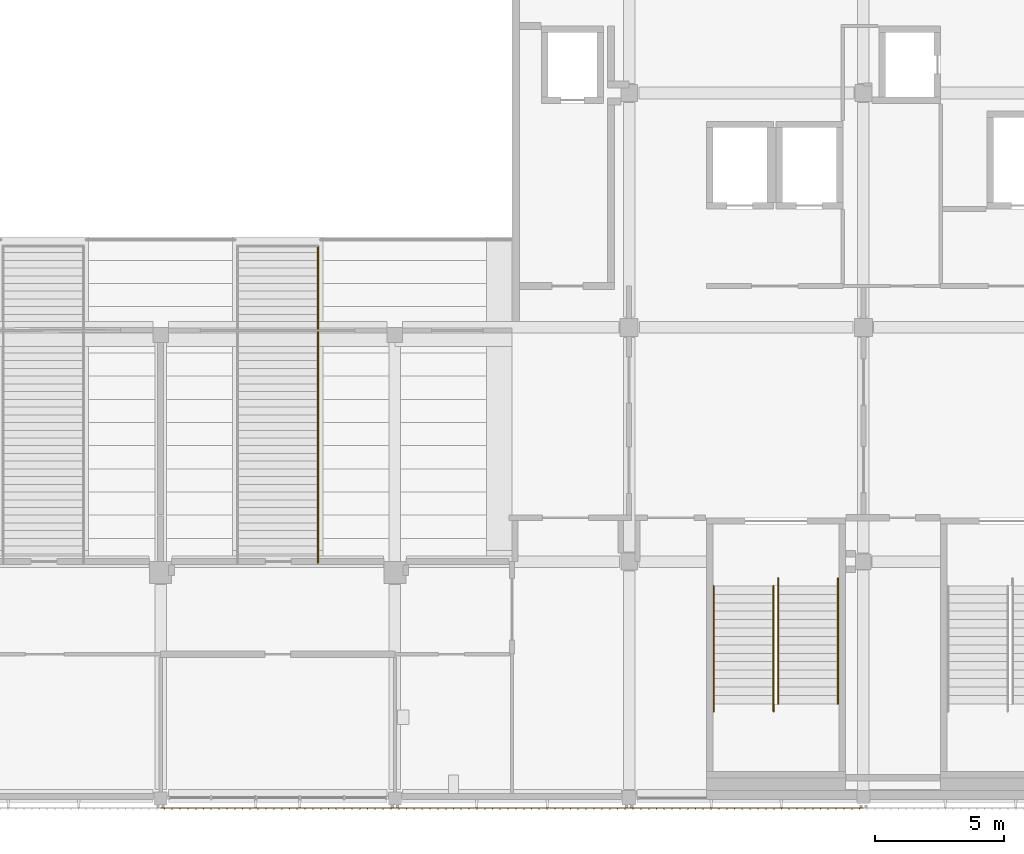
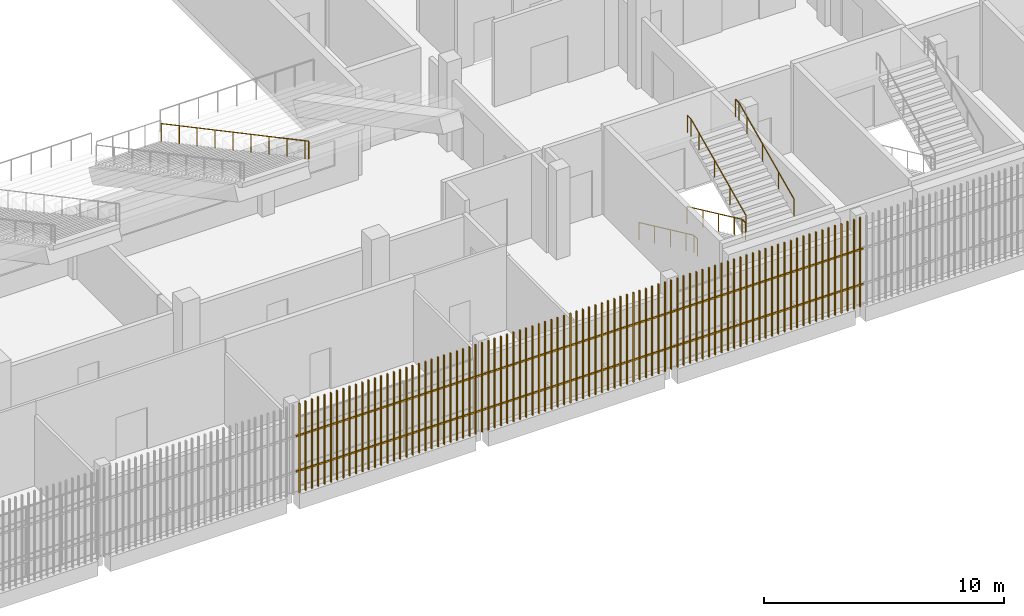
# One storey, part 120 of 139: 5 railings, 3 shading devices.
"""IFC4 building model written with IfcOpenShell, lengths in metres."""

from ifc_helpers import new_model, si_unit, direction, frame, origin, origin_2d, place, context, subcontext, project, spatial, rectangle, circle, extrude, material, type_object, element, save


model = new_model("IFC4")

# Units and contexts
model_context = context("Model", 3, precision=1e-05, world=origin(), true_north=direction((0.0, 1.0)))
body_context = subcontext(model_context, "Body", "Model", "MODEL_VIEW")
ifc_project = project(units=[si_unit("LENGTHUNIT", "METRE"), si_unit("AREAUNIT", "SQUARE_METRE"), si_unit("VOLUMEUNIT", "CUBIC_METRE"), si_unit("PLANEANGLEUNIT", "RADIAN"), si_unit("MASSUNIT", "GRAM", prefix="KILO")], contexts=[model_context])

# Site, building, storey
site_placement = place(None, origin())
site = spatial("IfcSite", under=ifc_project, at=site_placement, CompositionType="ELEMENT")
building_placement = place(site_placement, origin())
building = spatial("IfcBuilding", under=site, at=building_placement, Name="Shirokan Park Arena", CompositionType="ELEMENT")
storey_placement = place(building_placement, frame((0.0, 0.0, 15.469970703125)))
storey = spatial("IfcBuildingStorey", under=building, at=storey_placement, Name="L03", CompositionType="ELEMENT", Elevation=15.469970703125)

# Railings
ifc_material_1 = material(Name="Stainless steel", Category="steel")
railing_type_1 = type_object("IfcRailingType", Name="Aisle handrail 900", PredefinedType="HANDRAIL", material=ifc_material_1)
railing_1_placement = place(storey_placement, frame((97.110107421875, 21.35009765625, 2.5400390625)))
element("IfcRailing", 1, at=railing_1_placement, inside=storey, type_object=railing_type_1, Name="Handrail vomitory stair S6 upper", PredefinedType="HANDRAIL", context=body_context, shape_type="SweptSolid", body=[
    extrude(circle(Radius=0.02490234375, at=origin_2d()), frame((0.0, 0.0, 0.90185546875), z_axis=(0.0, -0.882341014787, 0.470610596591), x_axis=(1.0, 0.0, 0.0)), (0.0, 0.0, 1.0), 1.699951171875),
    extrude(circle(Radius=0.02490234375, at=origin_2d()), frame((0.0, -1.5, 1.70166015625), z_axis=(0.0, -0.882341014787, 0.470610596591), x_axis=(1.0, 0.0, 0.0)), (0.0, 0.0, 1.0), 1.699951171875),
    extrude(circle(Radius=0.02490234375, at=origin_2d()), frame((0.0, -3.0, 2.501953125), z_axis=(0.0, -0.88240064429, 0.470498781037), x_axis=(1.0, 0.0, 0.0)), (0.0, 0.0, 1.0), 1.699951171875),
    extrude(circle(Radius=0.02490234375, at=origin_2d()), frame((0.0, -4.5, 3.3017578125), z_axis=(0.0, -0.882341014787, 0.470610596591), x_axis=(1.0, 0.0, 0.0)), (0.0, 0.0, 1.0), 1.699951171875),
    extrude(circle(Radius=0.02490234375, at=origin_2d()), frame((0.0, -6.0, 4.1015625), z_axis=(0.0, -0.882341014787, 0.470610596591), x_axis=(1.0, 0.0, 0.0)), (0.0, 0.0, 1.0), 1.699951171875),
    extrude(circle(Radius=0.02490234375, at=origin_2d()), frame((0.0, -7.5, 4.90185546875), z_axis=(0.0, -0.882341014787, 0.470610596591), x_axis=(1.0, 0.0, 0.0)), (0.0, 0.0, 1.0), 1.699951171875),
    extrude(circle(Radius=0.02490234375, at=origin_2d()), frame((0.0, -9.0, 5.70166015625), z_axis=(0.0, -0.882341014787, 0.470610596591), x_axis=(1.0, 0.0, 0.0)), (0.0, 0.0, 1.0), 1.699951171875),
    extrude(circle(Radius=0.02490234375, at=origin_2d()), frame((0.0, -10.5, 6.501953125), z_axis=(0.0, -0.88240064429, 0.470498781037), x_axis=(1.0, 0.0, 0.0)), (0.0, 0.0, 1.0), 1.699951171875),
    extrude(circle(Radius=0.02490234375, at=origin_2d()), frame((0.0, -12.0, 7.3017578125), z_axis=(0.0, -0.882193928472, 0.470886262878), x_axis=(1.0, 0.0, 0.0)), (0.0, 0.0, 1.0), 0.340087890625),
    extrude(circle(Radius=0.02490234375, at=origin_2d()), origin(), (0.0, 0.0, 1.0), 0.876708984375),
    extrude(circle(Radius=0.02490234375, at=origin_2d()), frame((0.0, -1.5, 0.800048828125)), (0.0, 0.0, 1.0), 0.876708984375),
    extrude(circle(Radius=0.02490234375, at=origin_2d()), frame((0.0, -3.0, 1.60009765625)), (0.0, 0.0, 1.0), 0.876708984375),
    extrude(circle(Radius=0.02490234375, at=origin_2d()), frame((0.0, -4.5, 2.39990234375)), (0.0, 0.0, 1.0), 0.876708984375),
    extrude(circle(Radius=0.02490234375, at=origin_2d()), frame((0.0, -6.0, 3.199951171875)), (0.0, 0.0, 1.0), 0.876708984375),
    extrude(circle(Radius=0.02490234375, at=origin_2d()), frame((0.0, -7.5, 4.0)), (0.0, 0.0, 1.0), 0.876708984375),
    extrude(circle(Radius=0.02490234375, at=origin_2d()), frame((0.0, -9.0, 4.800048828125)), (0.0, 0.0, 1.0), 0.876708984375),
    extrude(circle(Radius=0.02490234375, at=origin_2d()), frame((0.0, -10.5, 5.60009765625)), (0.0, 0.0, 1.0), 0.876708984375),
    extrude(circle(Radius=0.02490234375, at=origin_2d()), frame((0.0, -12.0, 6.39990234375)), (0.0, 0.0, 1.0), 0.876708984375),
    extrude(circle(Radius=0.02490234375, at=origin_2d()), frame((0.0, -12.300048828125, 6.56005859375)), (0.0, 0.0, 1.0), 0.876708984375),
])
railing_type_2 = type_object("IfcRailingType", Name="Stair handrail 900", PredefinedType="HANDRAIL", material=ifc_material_1)
railing_2_placement = place(storey_placement, frame((112.489990234375, 8.14990234375, 0.151611328125)))
element("IfcRailing", 2, at=railing_2_placement, inside=storey, type_object=railing_type_2, Name="Handrail Exit Stair 2.D L03 to L04", PredefinedType="HANDRAIL", context=body_context, shape_type="SweptSolid", body=[
    extrude(circle(Radius=0.02392578125, at=origin_2d()), frame((0.0, 0.0, 0.8759765625), z_axis=(0.0, -0.906999720516, 0.421131222998), x_axis=(1.0, 0.0, 0.0)), (0.0, 0.0, 1.0), 1.440673828125),
    extrude(circle(Radius=0.02392578125, at=origin_2d()), frame((0.0, -1.306640625, 1.482421875), z_axis=(0.0, -0.907029769225, 0.421066500378), x_axis=(1.0, 0.0, 0.0)), (0.0, 0.0, 1.0), 1.44091796875),
    extrude(circle(Radius=0.02392578125, at=origin_2d()), frame((0.0, -2.613525390625, 2.08935546875), z_axis=(0.0, -0.907029769225, 0.421066500378), x_axis=(1.0, 0.0, 0.0)), (0.0, 0.0, 1.0), 1.44091796875),
    extrude(circle(Radius=0.02392578125, at=origin_2d()), frame((0.0, -3.92041015625, 2.69580078125), z_axis=(0.0, -0.906934982928, 0.421270621741), x_axis=(1.0, 0.0, 0.0)), (0.0, 0.0, 1.0), 0.720458984375),
    extrude(circle(Radius=0.02392578125, at=origin_2d()), frame((0.0, -4.57373046875, 2.99951171875), z_axis=(0.0, -1.0, 0.0), x_axis=(1.0, 0.0, 0.0)), (0.0, 0.0, 1.0), 0.300048828125),
    extrude(circle(Radius=0.02099609375, at=origin_2d()), origin(), (0.0, 0.0, 1.0), 0.851806640625),
    extrude(circle(Radius=0.02099609375, at=origin_2d()), frame((0.0, -1.306640625, 0.606689453125)), (0.0, 0.0, 1.0), 0.851806640625),
    extrude(circle(Radius=0.02099609375, at=origin_2d()), frame((0.0, -2.613525390625, 1.21337890625)), (0.0, 0.0, 1.0), 0.851806640625),
    extrude(circle(Radius=0.02099609375, at=origin_2d()), frame((0.0, -3.92041015625, 1.820068359375)), (0.0, 0.0, 1.0), 0.851806640625),
    extrude(circle(Radius=0.02099609375, at=origin_2d()), frame((0.0, -4.57373046875, 2.12353515625)), (0.0, 0.0, 1.0), 0.851806640625),
    extrude(circle(Radius=0.02099609375, at=origin_2d()), frame((0.0, -4.873779296875, 2.12353515625)), (0.0, 0.0, 1.0), 0.851806640625),
])
railing_3_placement = place(storey_placement, frame((114.81005859375, 8.14990234375, 0.151611328125)))
element("IfcRailing", 3, at=railing_3_placement, inside=storey, type_object=railing_type_2, Name="Handrail Exit Stair 2.D L03 to L04", PredefinedType="HANDRAIL", context=body_context, shape_type="SweptSolid", body=[
    extrude(circle(Radius=0.02392578125, at=origin_2d()), frame((0.0, 0.0, 0.8759765625), z_axis=(0.0, -0.906999720516, 0.421131222998), x_axis=(1.0, 0.0, 0.0)), (0.0, 0.0, 1.0), 1.440673828125),
    extrude(circle(Radius=0.02392578125, at=origin_2d()), frame((0.0, -1.306640625, 1.482421875), z_axis=(0.0, -0.907029769225, 0.421066500378), x_axis=(1.0, 0.0, 0.0)), (0.0, 0.0, 1.0), 1.44091796875),
    extrude(circle(Radius=0.02392578125, at=origin_2d()), frame((0.0, -2.613525390625, 2.08935546875), z_axis=(0.0, -0.907029769225, 0.421066500378), x_axis=(1.0, 0.0, 0.0)), (0.0, 0.0, 1.0), 1.44091796875),
    extrude(circle(Radius=0.02392578125, at=origin_2d()), frame((0.0, -3.92041015625, 2.69580078125), z_axis=(0.0, -0.906934982928, 0.421270621741), x_axis=(1.0, 0.0, 0.0)), (0.0, 0.0, 1.0), 0.720458984375),
    extrude(circle(Radius=0.02392578125, at=origin_2d()), frame((0.0, -4.57373046875, 2.99951171875), z_axis=(0.0, -1.0, 0.0), x_axis=(1.0, 0.0, 0.0)), (0.0, 0.0, 1.0), 0.300048828125),
    extrude(circle(Radius=0.02099609375, at=origin_2d()), origin(), (0.0, 0.0, 1.0), 0.851806640625),
    extrude(circle(Radius=0.02099609375, at=origin_2d()), frame((0.0, -1.306640625, 0.606689453125)), (0.0, 0.0, 1.0), 0.851806640625),
    extrude(circle(Radius=0.02099609375, at=origin_2d()), frame((0.0, -2.613525390625, 1.21337890625)), (0.0, 0.0, 1.0), 0.851806640625),
    extrude(circle(Radius=0.02099609375, at=origin_2d()), frame((0.0, -3.92041015625, 1.820068359375)), (0.0, 0.0, 1.0), 0.851806640625),
    extrude(circle(Radius=0.02099609375, at=origin_2d()), frame((0.0, -4.57373046875, 2.12353515625)), (0.0, 0.0, 1.0), 0.851806640625),
    extrude(circle(Radius=0.02099609375, at=origin_2d()), frame((0.0, -4.873779296875, 2.12353515625)), (0.0, 0.0, 1.0), 0.851806640625),
])
railing_4_placement = place(storey_placement, frame((114.989990234375, 3.576171875, 2.4267578125)))
element("IfcRailing", 4, at=railing_4_placement, inside=storey, type_object=railing_type_2, Name="Handrail Exit Stair 2.D L03 to L04", PredefinedType="HANDRAIL", context=body_context, shape_type="SweptSolid", body=[
    extrude(circle(Radius=0.02392578125, at=origin_2d()), frame((0.0, 0.0, 0.8759765625), z_axis=(0.0, 0.907029769225, 0.421066500378), x_axis=(-1.0, 0.0, 0.0)), (0.0, 0.0, 1.0), 1.44091796875),
    extrude(circle(Radius=0.02392578125, at=origin_2d()), frame((0.0, 1.306884765625, 1.482421875), z_axis=(0.0, 0.906999720516, 0.421131222998), x_axis=(-1.0, 0.0, 0.0)), (0.0, 0.0, 1.0), 1.440673828125),
    extrude(circle(Radius=0.02392578125, at=origin_2d()), frame((0.0, 2.613525390625, 2.08935546875), z_axis=(0.0, 0.907094476872, 0.420927083981), x_axis=(-1.0, 0.0, 0.0)), (0.0, 0.0, 1.0), 1.440673828125),
    extrude(circle(Radius=0.02392578125, at=origin_2d()), frame((0.0, 3.92041015625, 2.69580078125), z_axis=(0.0, 0.906934982928, 0.421270621741), x_axis=(-1.0, 0.0, 0.0)), (0.0, 0.0, 1.0), 0.720458984375),
    extrude(circle(Radius=0.02392578125, at=origin_2d()), frame((0.0, 4.57373046875, 2.9990234375), z_axis=(0.0, 1.0, 0.0), x_axis=(-1.0, 0.0, 0.0)), (0.0, 0.0, 1.0), 0.300048828125),
    extrude(circle(Radius=0.02099609375, at=origin_2d()), origin(), (0.0, 0.0, 1.0), 0.851806640625),
    extrude(circle(Radius=0.02099609375, at=origin_2d()), frame((0.0, 1.306884765625, 0.606689453125)), (0.0, 0.0, 1.0), 0.851806640625),
    extrude(circle(Radius=0.02099609375, at=origin_2d()), frame((0.0, 2.613525390625, 1.21337890625)), (0.0, 0.0, 1.0), 0.851806640625),
    extrude(circle(Radius=0.02099609375, at=origin_2d()), frame((0.0, 3.92041015625, 1.81982421875)), (0.0, 0.0, 1.0), 0.851806640625),
    extrude(circle(Radius=0.02099609375, at=origin_2d()), frame((0.0, 4.57373046875, 2.123291015625)), (0.0, 0.0, 1.0), 0.851806640625),
    extrude(circle(Radius=0.02099609375, at=origin_2d()), frame((0.0, 4.873779296875, 2.123291015625)), (0.0, 0.0, 1.0), 0.851806640625),
])
railing_5_placement = place(storey_placement, frame((117.31005859375, 3.576171875, 2.4267578125)))
element("IfcRailing", 5, at=railing_5_placement, inside=storey, type_object=railing_type_2, Name="Handrail Exit Stair 2.D L03 to L04", PredefinedType="HANDRAIL", context=body_context, shape_type="SweptSolid", body=[
    extrude(circle(Radius=0.02392578125, at=origin_2d()), frame((0.0, 0.0, 0.8759765625), z_axis=(0.0, 0.907029769225, 0.421066500378), x_axis=(-1.0, 0.0, 0.0)), (0.0, 0.0, 1.0), 1.44091796875),
    extrude(circle(Radius=0.02392578125, at=origin_2d()), frame((0.0, 1.306884765625, 1.482421875), z_axis=(0.0, 0.906999720516, 0.421131222998), x_axis=(-1.0, 0.0, 0.0)), (0.0, 0.0, 1.0), 1.440673828125),
    extrude(circle(Radius=0.02392578125, at=origin_2d()), frame((0.0, 2.613525390625, 2.08935546875), z_axis=(0.0, 0.907094476872, 0.420927083981), x_axis=(-1.0, 0.0, 0.0)), (0.0, 0.0, 1.0), 1.440673828125),
    extrude(circle(Radius=0.02392578125, at=origin_2d()), frame((0.0, 3.92041015625, 2.69580078125), z_axis=(0.0, 0.906934982928, 0.421270621741), x_axis=(-1.0, 0.0, 0.0)), (0.0, 0.0, 1.0), 0.720458984375),
    extrude(circle(Radius=0.02392578125, at=origin_2d()), frame((0.0, 4.57373046875, 2.9990234375), z_axis=(0.0, 1.0, 0.0), x_axis=(-1.0, 0.0, 0.0)), (0.0, 0.0, 1.0), 0.300048828125),
    extrude(circle(Radius=0.02099609375, at=origin_2d()), origin(), (0.0, 0.0, 1.0), 0.851806640625),
    extrude(circle(Radius=0.02099609375, at=origin_2d()), frame((0.0, 1.306884765625, 0.606689453125)), (0.0, 0.0, 1.0), 0.851806640625),
    extrude(circle(Radius=0.02099609375, at=origin_2d()), frame((0.0, 2.613525390625, 1.21337890625)), (0.0, 0.0, 1.0), 0.851806640625),
    extrude(circle(Radius=0.02099609375, at=origin_2d()), frame((0.0, 3.92041015625, 1.81982421875)), (0.0, 0.0, 1.0), 0.851806640625),
    extrude(circle(Radius=0.02099609375, at=origin_2d()), frame((0.0, 4.57373046875, 2.123291015625)), (0.0, 0.0, 1.0), 0.851806640625),
    extrude(circle(Radius=0.02099609375, at=origin_2d()), frame((0.0, 4.873779296875, 2.123291015625)), (0.0, 0.0, 1.0), 0.851806640625),
])

# Shading devices
ifc_material_2 = material(Name="Timber louvre veil (cedar)", Category="wood")
shading_device_type = type_object("IfcShadingDeviceType", Name="Timber louvre veil panel", PredefinedType="JALOUSIE", material=ifc_material_2)
shading_device_1_placement = place(storey_placement, origin())
element("IfcShadingDevice", 6, at=shading_device_1_placement, inside=storey, type_object=shading_device_type, Name="Timber louvre veil south bay 11 L03", PredefinedType="JALOUSIE", context=body_context, shape_type="SweptSolid", body=[
    extrude(rectangle(XDim=0.050048828125, YDim=0.080078125, at=origin_2d()), frame((91.151611328125, -0.485107421875, 0.0), z_axis=(0.0, 0.0, 1.0), x_axis=(1.0, 0.0, 0.0)), (0.0, 0.0, 1.0), 4.550048828125),
    extrude(rectangle(XDim=0.050048828125, YDim=0.080078125, at=origin_2d()), frame((91.455078125, -0.485107421875, 0.0), z_axis=(0.0, 0.0, 1.0), x_axis=(1.0, 0.0, 0.0)), (0.0, 0.0, 1.0), 4.550048828125),
    extrude(rectangle(XDim=0.050048828125, YDim=0.080078125, at=origin_2d()), frame((91.75830078125, -0.485107421875, 0.0), z_axis=(0.0, 0.0, 1.0), x_axis=(1.0, 0.0, 0.0)), (0.0, 0.0, 1.0), 4.550048828125),
    extrude(rectangle(XDim=0.050048828125, YDim=0.080078125, at=origin_2d()), frame((92.061767578125, -0.485107421875, 0.0), z_axis=(0.0, 0.0, 1.0), x_axis=(1.0, 0.0, 0.0)), (0.0, 0.0, 1.0), 4.550048828125),
    extrude(rectangle(XDim=0.050048828125, YDim=0.080078125, at=origin_2d()), frame((92.364990234375, -0.485107421875, 0.0), z_axis=(0.0, 0.0, 1.0), x_axis=(1.0, 0.0, 0.0)), (0.0, 0.0, 1.0), 4.550048828125),
    extrude(rectangle(XDim=0.050048828125, YDim=0.080078125, at=origin_2d()), frame((92.668212890625, -0.485107421875, 0.0), z_axis=(0.0, 0.0, 1.0), x_axis=(1.0, 0.0, 0.0)), (0.0, 0.0, 1.0), 4.550048828125),
    extrude(rectangle(XDim=0.050048828125, YDim=0.080078125, at=origin_2d()), frame((92.9716796875, -0.485107421875, 0.0), z_axis=(0.0, 0.0, 1.0), x_axis=(1.0, 0.0, 0.0)), (0.0, 0.0, 1.0), 4.550048828125),
    extrude(rectangle(XDim=0.050048828125, YDim=0.080078125, at=origin_2d()), frame((93.27490234375, -0.485107421875, 0.0), z_axis=(0.0, 0.0, 1.0), x_axis=(1.0, 0.0, 0.0)), (0.0, 0.0, 1.0), 4.550048828125),
    extrude(rectangle(XDim=0.050048828125, YDim=0.080078125, at=origin_2d()), frame((93.578369140625, -0.485107421875, 0.0), z_axis=(0.0, 0.0, 1.0), x_axis=(1.0, 0.0, 0.0)), (0.0, 0.0, 1.0), 4.550048828125),
    extrude(rectangle(XDim=0.050048828125, YDim=0.080078125, at=origin_2d()), frame((93.881591796875, -0.485107421875, 0.0), z_axis=(0.0, 0.0, 1.0), x_axis=(1.0, 0.0, 0.0)), (0.0, 0.0, 1.0), 4.550048828125),
    extrude(rectangle(XDim=0.050048828125, YDim=0.080078125, at=origin_2d()), frame((94.18505859375, -0.485107421875, 0.0), z_axis=(0.0, 0.0, 1.0), x_axis=(1.0, 0.0, 0.0)), (0.0, 0.0, 1.0), 4.550048828125),
    extrude(rectangle(XDim=0.050048828125, YDim=0.080078125, at=origin_2d()), frame((94.48828125, -0.485107421875, 0.0), z_axis=(0.0, 0.0, 1.0), x_axis=(1.0, 0.0, 0.0)), (0.0, 0.0, 1.0), 4.550048828125),
    extrude(rectangle(XDim=0.050048828125, YDim=0.080078125, at=origin_2d()), frame((94.791748046875, -0.485107421875, 0.0), z_axis=(0.0, 0.0, 1.0), x_axis=(1.0, 0.0, 0.0)), (0.0, 0.0, 1.0), 4.550048828125),
    extrude(rectangle(XDim=0.050048828125, YDim=0.080078125, at=origin_2d()), frame((95.094970703125, -0.485107421875, 0.0), z_axis=(0.0, 0.0, 1.0), x_axis=(1.0, 0.0, 0.0)), (0.0, 0.0, 1.0), 4.550048828125),
    extrude(rectangle(XDim=0.050048828125, YDim=0.080078125, at=origin_2d()), frame((95.3984375, -0.485107421875, 0.0), z_axis=(0.0, 0.0, 1.0), x_axis=(1.0, 0.0, 0.0)), (0.0, 0.0, 1.0), 4.550048828125),
    extrude(rectangle(XDim=0.050048828125, YDim=0.080078125, at=origin_2d()), frame((95.70166015625, -0.485107421875, 0.0), z_axis=(0.0, 0.0, 1.0), x_axis=(1.0, 0.0, 0.0)), (0.0, 0.0, 1.0), 4.550048828125),
    extrude(rectangle(XDim=0.050048828125, YDim=0.080078125, at=origin_2d()), frame((96.0048828125, -0.485107421875, 0.0), z_axis=(0.0, 0.0, 1.0), x_axis=(1.0, 0.0, 0.0)), (0.0, 0.0, 1.0), 4.550048828125),
    extrude(rectangle(XDim=0.050048828125, YDim=0.080078125, at=origin_2d()), frame((96.308349609375, -0.485107421875, 0.0), z_axis=(0.0, 0.0, 1.0), x_axis=(1.0, 0.0, 0.0)), (0.0, 0.0, 1.0), 4.550048828125),
    extrude(rectangle(XDim=0.050048828125, YDim=0.080078125, at=origin_2d()), frame((96.611572265625, -0.485107421875, 0.0), z_axis=(0.0, 0.0, 1.0), x_axis=(1.0, 0.0, 0.0)), (0.0, 0.0, 1.0), 4.550048828125),
    extrude(rectangle(XDim=0.050048828125, YDim=0.080078125, at=origin_2d()), frame((96.9150390625, -0.485107421875, 0.0), z_axis=(0.0, 0.0, 1.0), x_axis=(1.0, 0.0, 0.0)), (0.0, 0.0, 1.0), 4.550048828125),
    extrude(rectangle(XDim=0.050048828125, YDim=0.080078125, at=origin_2d()), frame((97.21826171875, -0.485107421875, 0.0), z_axis=(0.0, 0.0, 1.0), x_axis=(1.0, 0.0, 0.0)), (0.0, 0.0, 1.0), 4.550048828125),
    extrude(rectangle(XDim=0.050048828125, YDim=0.080078125, at=origin_2d()), frame((97.521728515625, -0.485107421875, 0.0), z_axis=(0.0, 0.0, 1.0), x_axis=(1.0, 0.0, 0.0)), (0.0, 0.0, 1.0), 4.550048828125),
    extrude(rectangle(XDim=0.050048828125, YDim=0.080078125, at=origin_2d()), frame((97.824951171875, -0.485107421875, 0.0), z_axis=(0.0, 0.0, 1.0), x_axis=(1.0, 0.0, 0.0)), (0.0, 0.0, 1.0), 4.550048828125),
    extrude(rectangle(XDim=0.050048828125, YDim=0.080078125, at=origin_2d()), frame((98.12841796875, -0.485107421875, 0.0), z_axis=(0.0, 0.0, 1.0), x_axis=(1.0, 0.0, 0.0)), (0.0, 0.0, 1.0), 4.550048828125),
    extrude(rectangle(XDim=0.050048828125, YDim=0.080078125, at=origin_2d()), frame((98.431640625, -0.485107421875, 0.0), z_axis=(0.0, 0.0, 1.0), x_axis=(1.0, 0.0, 0.0)), (0.0, 0.0, 1.0), 4.550048828125),
    extrude(rectangle(XDim=0.050048828125, YDim=0.080078125, at=origin_2d()), frame((98.735107421875, -0.485107421875, 0.0), z_axis=(0.0, 0.0, 1.0), x_axis=(1.0, 0.0, 0.0)), (0.0, 0.0, 1.0), 4.550048828125),
    extrude(rectangle(XDim=0.050048828125, YDim=0.080078125, at=origin_2d()), frame((99.038330078125, -0.485107421875, 0.0), z_axis=(0.0, 0.0, 1.0), x_axis=(1.0, 0.0, 0.0)), (0.0, 0.0, 1.0), 4.550048828125),
    extrude(rectangle(XDim=0.050048828125, YDim=0.080078125, at=origin_2d()), frame((99.341552734375, -0.485107421875, 0.0), z_axis=(0.0, 0.0, 1.0), x_axis=(1.0, 0.0, 0.0)), (0.0, 0.0, 1.0), 4.550048828125),
    extrude(rectangle(XDim=0.050048828125, YDim=0.080078125, at=origin_2d()), frame((99.64501953125, -0.485107421875, 0.0), z_axis=(0.0, 0.0, 1.0), x_axis=(1.0, 0.0, 0.0)), (0.0, 0.0, 1.0), 4.550048828125),
    extrude(rectangle(XDim=0.050048828125, YDim=0.080078125, at=origin_2d()), frame((99.9482421875, -0.485107421875, 0.0), z_axis=(0.0, 0.0, 1.0), x_axis=(1.0, 0.0, 0.0)), (0.0, 0.0, 1.0), 4.550048828125),
    extrude(rectangle(XDim=9.10009765625, YDim=0.050048828125, at=origin_2d()), frame((95.550048828125, -0.469970703125, 1.06005859375), z_axis=(0.0, 0.0, 1.0), x_axis=(1.0, 0.0, 0.0)), (0.0, 0.0, 1.0), 0.080078125),
    extrude(rectangle(XDim=9.10009765625, YDim=0.050048828125, at=origin_2d()), frame((95.550048828125, -0.469970703125, 2.860107421875), z_axis=(0.0, 0.0, 1.0), x_axis=(1.0, 0.0, 0.0)), (0.0, 0.0, 1.0), 0.080078125),
])
shading_device_2_placement = place(storey_placement, origin())
element("IfcShadingDevice", 7, at=shading_device_2_placement, inside=storey, type_object=shading_device_type, Name="Timber louvre veil south bay 12 L03", PredefinedType="JALOUSIE", context=body_context, shape_type="SweptSolid", body=[
    extrude(rectangle(XDim=0.050048828125, YDim=0.080078125, at=origin_2d()), frame((100.251708984375, -0.485107421875, 0.0), z_axis=(0.0, 0.0, 1.0), x_axis=(1.0, 0.0, 0.0)), (0.0, 0.0, 1.0), 4.550048828125),
    extrude(rectangle(XDim=0.050048828125, YDim=0.080078125, at=origin_2d()), frame((100.554931640625, -0.485107421875, 0.0), z_axis=(0.0, 0.0, 1.0), x_axis=(1.0, 0.0, 0.0)), (0.0, 0.0, 1.0), 4.550048828125),
    extrude(rectangle(XDim=0.050048828125, YDim=0.080078125, at=origin_2d()), frame((100.8583984375, -0.485107421875, 0.0), z_axis=(0.0, 0.0, 1.0), x_axis=(1.0, 0.0, 0.0)), (0.0, 0.0, 1.0), 4.550048828125),
    extrude(rectangle(XDim=0.050048828125, YDim=0.080078125, at=origin_2d()), frame((101.16162109375, -0.485107421875, 0.0), z_axis=(0.0, 0.0, 1.0), x_axis=(1.0, 0.0, 0.0)), (0.0, 0.0, 1.0), 4.550048828125),
    extrude(rectangle(XDim=0.050048828125, YDim=0.080078125, at=origin_2d()), frame((101.465087890625, -0.485107421875, 0.0), z_axis=(0.0, 0.0, 1.0), x_axis=(1.0, 0.0, 0.0)), (0.0, 0.0, 1.0), 4.550048828125),
    extrude(rectangle(XDim=0.050048828125, YDim=0.080078125, at=origin_2d()), frame((101.768310546875, -0.485107421875, 0.0), z_axis=(0.0, 0.0, 1.0), x_axis=(1.0, 0.0, 0.0)), (0.0, 0.0, 1.0), 4.550048828125),
    extrude(rectangle(XDim=0.050048828125, YDim=0.080078125, at=origin_2d()), frame((102.07177734375, -0.485107421875, 0.0), z_axis=(0.0, 0.0, 1.0), x_axis=(1.0, 0.0, 0.0)), (0.0, 0.0, 1.0), 4.550048828125),
    extrude(rectangle(XDim=0.050048828125, YDim=0.080078125, at=origin_2d()), frame((102.375, -0.485107421875, 0.0), z_axis=(0.0, 0.0, 1.0), x_axis=(1.0, 0.0, 0.0)), (0.0, 0.0, 1.0), 4.550048828125),
    extrude(rectangle(XDim=0.050048828125, YDim=0.080078125, at=origin_2d()), frame((102.67822265625, -0.485107421875, 0.0), z_axis=(0.0, 0.0, 1.0), x_axis=(1.0, 0.0, 0.0)), (0.0, 0.0, 1.0), 4.550048828125),
    extrude(rectangle(XDim=0.050048828125, YDim=0.080078125, at=origin_2d()), frame((102.981689453125, -0.485107421875, 0.0), z_axis=(0.0, 0.0, 1.0), x_axis=(1.0, 0.0, 0.0)), (0.0, 0.0, 1.0), 4.550048828125),
    extrude(rectangle(XDim=0.050048828125, YDim=0.080078125, at=origin_2d()), frame((103.284912109375, -0.485107421875, 0.0), z_axis=(0.0, 0.0, 1.0), x_axis=(1.0, 0.0, 0.0)), (0.0, 0.0, 1.0), 4.550048828125),
    extrude(rectangle(XDim=0.050048828125, YDim=0.080078125, at=origin_2d()), frame((103.58837890625, -0.485107421875, 0.0), z_axis=(0.0, 0.0, 1.0), x_axis=(1.0, 0.0, 0.0)), (0.0, 0.0, 1.0), 4.550048828125),
    extrude(rectangle(XDim=0.050048828125, YDim=0.080078125, at=origin_2d()), frame((103.8916015625, -0.485107421875, 0.0), z_axis=(0.0, 0.0, 1.0), x_axis=(1.0, 0.0, 0.0)), (0.0, 0.0, 1.0), 4.550048828125),
    extrude(rectangle(XDim=0.050048828125, YDim=0.080078125, at=origin_2d()), frame((104.195068359375, -0.485107421875, 0.0), z_axis=(0.0, 0.0, 1.0), x_axis=(1.0, 0.0, 0.0)), (0.0, 0.0, 1.0), 4.550048828125),
    extrude(rectangle(XDim=0.050048828125, YDim=0.080078125, at=origin_2d()), frame((104.498291015625, -0.485107421875, 0.0), z_axis=(0.0, 0.0, 1.0), x_axis=(1.0, 0.0, 0.0)), (0.0, 0.0, 1.0), 4.550048828125),
    extrude(rectangle(XDim=0.050048828125, YDim=0.080078125, at=origin_2d()), frame((104.8017578125, -0.485107421875, 0.0), z_axis=(0.0, 0.0, 1.0), x_axis=(1.0, 0.0, 0.0)), (0.0, 0.0, 1.0), 4.550048828125),
    extrude(rectangle(XDim=0.050048828125, YDim=0.080078125, at=origin_2d()), frame((105.10498046875, -0.485107421875, 0.0), z_axis=(0.0, 0.0, 1.0), x_axis=(1.0, 0.0, 0.0)), (0.0, 0.0, 1.0), 4.550048828125),
    extrude(rectangle(XDim=0.050048828125, YDim=0.080078125, at=origin_2d()), frame((105.408447265625, -0.485107421875, 0.0), z_axis=(0.0, 0.0, 1.0), x_axis=(1.0, 0.0, 0.0)), (0.0, 0.0, 1.0), 4.550048828125),
    extrude(rectangle(XDim=0.050048828125, YDim=0.080078125, at=origin_2d()), frame((105.711669921875, -0.485107421875, 0.0), z_axis=(0.0, 0.0, 1.0), x_axis=(1.0, 0.0, 0.0)), (0.0, 0.0, 1.0), 4.550048828125),
    extrude(rectangle(XDim=0.050048828125, YDim=0.080078125, at=origin_2d()), frame((106.014892578125, -0.485107421875, 0.0), z_axis=(0.0, 0.0, 1.0), x_axis=(1.0, 0.0, 0.0)), (0.0, 0.0, 1.0), 4.550048828125),
    extrude(rectangle(XDim=0.050048828125, YDim=0.080078125, at=origin_2d()), frame((106.318359375, -0.485107421875, 0.0), z_axis=(0.0, 0.0, 1.0), x_axis=(1.0, 0.0, 0.0)), (0.0, 0.0, 1.0), 4.550048828125),
    extrude(rectangle(XDim=0.050048828125, YDim=0.080078125, at=origin_2d()), frame((106.62158203125, -0.485107421875, 0.0), z_axis=(0.0, 0.0, 1.0), x_axis=(1.0, 0.0, 0.0)), (0.0, 0.0, 1.0), 4.550048828125),
    extrude(rectangle(XDim=0.050048828125, YDim=0.080078125, at=origin_2d()), frame((106.925048828125, -0.485107421875, 0.0), z_axis=(0.0, 0.0, 1.0), x_axis=(1.0, 0.0, 0.0)), (0.0, 0.0, 1.0), 4.550048828125),
    extrude(rectangle(XDim=0.050048828125, YDim=0.080078125, at=origin_2d()), frame((107.228271484375, -0.485107421875, 0.0), z_axis=(0.0, 0.0, 1.0), x_axis=(1.0, 0.0, 0.0)), (0.0, 0.0, 1.0), 4.550048828125),
    extrude(rectangle(XDim=0.050048828125, YDim=0.080078125, at=origin_2d()), frame((107.53173828125, -0.485107421875, 0.0), z_axis=(0.0, 0.0, 1.0), x_axis=(1.0, 0.0, 0.0)), (0.0, 0.0, 1.0), 4.550048828125),
    extrude(rectangle(XDim=0.050048828125, YDim=0.080078125, at=origin_2d()), frame((107.8349609375, -0.485107421875, 0.0), z_axis=(0.0, 0.0, 1.0), x_axis=(1.0, 0.0, 0.0)), (0.0, 0.0, 1.0), 4.550048828125),
    extrude(rectangle(XDim=0.050048828125, YDim=0.080078125, at=origin_2d()), frame((108.138427734375, -0.485107421875, 0.0), z_axis=(0.0, 0.0, 1.0), x_axis=(1.0, 0.0, 0.0)), (0.0, 0.0, 1.0), 4.550048828125),
    extrude(rectangle(XDim=0.050048828125, YDim=0.080078125, at=origin_2d()), frame((108.441650390625, -0.485107421875, 0.0), z_axis=(0.0, 0.0, 1.0), x_axis=(1.0, 0.0, 0.0)), (0.0, 0.0, 1.0), 4.550048828125),
    extrude(rectangle(XDim=0.050048828125, YDim=0.080078125, at=origin_2d()), frame((108.7451171875, -0.485107421875, 0.0), z_axis=(0.0, 0.0, 1.0), x_axis=(1.0, 0.0, 0.0)), (0.0, 0.0, 1.0), 4.550048828125),
    extrude(rectangle(XDim=0.050048828125, YDim=0.080078125, at=origin_2d()), frame((109.04833984375, -0.485107421875, 0.0), z_axis=(0.0, 0.0, 1.0), x_axis=(1.0, 0.0, 0.0)), (0.0, 0.0, 1.0), 4.550048828125),
    extrude(rectangle(XDim=9.10009765625, YDim=0.050048828125, at=origin_2d()), frame((104.64990234375, -0.469970703125, 1.06005859375), z_axis=(0.0, 0.0, 1.0), x_axis=(1.0, 0.0, 0.0)), (0.0, 0.0, 1.0), 0.080078125),
    extrude(rectangle(XDim=9.10009765625, YDim=0.050048828125, at=origin_2d()), frame((104.64990234375, -0.469970703125, 2.860107421875), z_axis=(0.0, 0.0, 1.0), x_axis=(1.0, 0.0, 0.0)), (0.0, 0.0, 1.0), 0.080078125),
])
shading_device_3_placement = place(storey_placement, origin())
element("IfcShadingDevice", 8, at=shading_device_3_placement, inside=storey, type_object=shading_device_type, Name="Timber louvre veil south bay 13 L03", PredefinedType="JALOUSIE", context=body_context, shape_type="SweptSolid", body=[
    extrude(rectangle(XDim=0.050048828125, YDim=0.080078125, at=origin_2d()), frame((109.3515625, -0.485107421875, 0.0), z_axis=(0.0, 0.0, 1.0), x_axis=(1.0, 0.0, 0.0)), (0.0, 0.0, 1.0), 4.550048828125),
    extrude(rectangle(XDim=0.050048828125, YDim=0.080078125, at=origin_2d()), frame((109.655029296875, -0.485107421875, 0.0), z_axis=(0.0, 0.0, 1.0), x_axis=(1.0, 0.0, 0.0)), (0.0, 0.0, 1.0), 4.550048828125),
    extrude(rectangle(XDim=0.050048828125, YDim=0.080078125, at=origin_2d()), frame((109.958251953125, -0.485107421875, 0.0), z_axis=(0.0, 0.0, 1.0), x_axis=(1.0, 0.0, 0.0)), (0.0, 0.0, 1.0), 4.550048828125),
    extrude(rectangle(XDim=0.050048828125, YDim=0.080078125, at=origin_2d()), frame((110.26171875, -0.485107421875, 0.0), z_axis=(0.0, 0.0, 1.0), x_axis=(1.0, 0.0, 0.0)), (0.0, 0.0, 1.0), 4.550048828125),
    extrude(rectangle(XDim=0.050048828125, YDim=0.080078125, at=origin_2d()), frame((110.56494140625, -0.485107421875, 0.0), z_axis=(0.0, 0.0, 1.0), x_axis=(1.0, 0.0, 0.0)), (0.0, 0.0, 1.0), 4.550048828125),
    extrude(rectangle(XDim=0.050048828125, YDim=0.080078125, at=origin_2d()), frame((110.868408203125, -0.485107421875, 0.0), z_axis=(0.0, 0.0, 1.0), x_axis=(1.0, 0.0, 0.0)), (0.0, 0.0, 1.0), 4.550048828125),
    extrude(rectangle(XDim=0.050048828125, YDim=0.080078125, at=origin_2d()), frame((111.171630859375, -0.485107421875, 0.0), z_axis=(0.0, 0.0, 1.0), x_axis=(1.0, 0.0, 0.0)), (0.0, 0.0, 1.0), 4.550048828125),
    extrude(rectangle(XDim=0.050048828125, YDim=0.080078125, at=origin_2d()), frame((111.47509765625, -0.485107421875, 0.0), z_axis=(0.0, 0.0, 1.0), x_axis=(1.0, 0.0, 0.0)), (0.0, 0.0, 1.0), 4.550048828125),
    extrude(rectangle(XDim=0.050048828125, YDim=0.080078125, at=origin_2d()), frame((111.7783203125, -0.485107421875, 0.0), z_axis=(0.0, 0.0, 1.0), x_axis=(1.0, 0.0, 0.0)), (0.0, 0.0, 1.0), 4.550048828125),
    extrude(rectangle(XDim=0.050048828125, YDim=0.080078125, at=origin_2d()), frame((112.081787109375, -0.485107421875, 0.0), z_axis=(0.0, 0.0, 1.0), x_axis=(1.0, 0.0, 0.0)), (0.0, 0.0, 1.0), 4.550048828125),
    extrude(rectangle(XDim=0.050048828125, YDim=0.080078125, at=origin_2d()), frame((112.385009765625, -0.485107421875, 0.0), z_axis=(0.0, 0.0, 1.0), x_axis=(1.0, 0.0, 0.0)), (0.0, 0.0, 1.0), 4.550048828125),
    extrude(rectangle(XDim=0.050048828125, YDim=0.080078125, at=origin_2d()), frame((112.688232421875, -0.485107421875, 0.0), z_axis=(0.0, 0.0, 1.0), x_axis=(1.0, 0.0, 0.0)), (0.0, 0.0, 1.0), 4.550048828125),
    extrude(rectangle(XDim=0.050048828125, YDim=0.080078125, at=origin_2d()), frame((112.99169921875, -0.485107421875, 0.0), z_axis=(0.0, 0.0, 1.0), x_axis=(1.0, 0.0, 0.0)), (0.0, 0.0, 1.0), 4.550048828125),
    extrude(rectangle(XDim=0.050048828125, YDim=0.080078125, at=origin_2d()), frame((113.294921875, -0.485107421875, 0.0), z_axis=(0.0, 0.0, 1.0), x_axis=(1.0, 0.0, 0.0)), (0.0, 0.0, 1.0), 4.550048828125),
    extrude(rectangle(XDim=0.050048828125, YDim=0.080078125, at=origin_2d()), frame((113.598388671875, -0.485107421875, 0.0), z_axis=(0.0, 0.0, 1.0), x_axis=(1.0, 0.0, 0.0)), (0.0, 0.0, 1.0), 4.550048828125),
    extrude(rectangle(XDim=0.050048828125, YDim=0.080078125, at=origin_2d()), frame((113.901611328125, -0.485107421875, 0.0), z_axis=(0.0, 0.0, 1.0), x_axis=(1.0, 0.0, 0.0)), (0.0, 0.0, 1.0), 4.550048828125),
    extrude(rectangle(XDim=0.050048828125, YDim=0.080078125, at=origin_2d()), frame((114.205078125, -0.485107421875, 0.0), z_axis=(0.0, 0.0, 1.0), x_axis=(1.0, 0.0, 0.0)), (0.0, 0.0, 1.0), 4.550048828125),
    extrude(rectangle(XDim=0.050048828125, YDim=0.080078125, at=origin_2d()), frame((114.50830078125, -0.485107421875, 0.0), z_axis=(0.0, 0.0, 1.0), x_axis=(1.0, 0.0, 0.0)), (0.0, 0.0, 1.0), 4.550048828125),
    extrude(rectangle(XDim=0.050048828125, YDim=0.080078125, at=origin_2d()), frame((114.811767578125, -0.485107421875, 0.0), z_axis=(0.0, 0.0, 1.0), x_axis=(1.0, 0.0, 0.0)), (0.0, 0.0, 1.0), 4.550048828125),
    extrude(rectangle(XDim=0.050048828125, YDim=0.080078125, at=origin_2d()), frame((115.114990234375, -0.485107421875, 0.0), z_axis=(0.0, 0.0, 1.0), x_axis=(1.0, 0.0, 0.0)), (0.0, 0.0, 1.0), 4.550048828125),
    extrude(rectangle(XDim=0.050048828125, YDim=0.080078125, at=origin_2d()), frame((115.418212890625, -0.485107421875, 0.0), z_axis=(0.0, 0.0, 1.0), x_axis=(1.0, 0.0, 0.0)), (0.0, 0.0, 1.0), 4.550048828125),
    extrude(rectangle(XDim=0.050048828125, YDim=0.080078125, at=origin_2d()), frame((115.7216796875, -0.485107421875, 0.0), z_axis=(0.0, 0.0, 1.0), x_axis=(1.0, 0.0, 0.0)), (0.0, 0.0, 1.0), 4.550048828125),
    extrude(rectangle(XDim=0.050048828125, YDim=0.080078125, at=origin_2d()), frame((116.02490234375, -0.485107421875, 0.0), z_axis=(0.0, 0.0, 1.0), x_axis=(1.0, 0.0, 0.0)), (0.0, 0.0, 1.0), 4.550048828125),
    extrude(rectangle(XDim=0.050048828125, YDim=0.080078125, at=origin_2d()), frame((116.328369140625, -0.485107421875, 0.0), z_axis=(0.0, 0.0, 1.0), x_axis=(1.0, 0.0, 0.0)), (0.0, 0.0, 1.0), 4.550048828125),
    extrude(rectangle(XDim=0.050048828125, YDim=0.080078125, at=origin_2d()), frame((116.631591796875, -0.485107421875, 0.0), z_axis=(0.0, 0.0, 1.0), x_axis=(1.0, 0.0, 0.0)), (0.0, 0.0, 1.0), 4.550048828125),
    extrude(rectangle(XDim=0.050048828125, YDim=0.080078125, at=origin_2d()), frame((116.93505859375, -0.485107421875, 0.0), z_axis=(0.0, 0.0, 1.0), x_axis=(1.0, 0.0, 0.0)), (0.0, 0.0, 1.0), 4.550048828125),
    extrude(rectangle(XDim=0.050048828125, YDim=0.080078125, at=origin_2d()), frame((117.23828125, -0.485107421875, 0.0), z_axis=(0.0, 0.0, 1.0), x_axis=(1.0, 0.0, 0.0)), (0.0, 0.0, 1.0), 4.550048828125),
    extrude(rectangle(XDim=0.050048828125, YDim=0.080078125, at=origin_2d()), frame((117.541748046875, -0.485107421875, 0.0), z_axis=(0.0, 0.0, 1.0), x_axis=(1.0, 0.0, 0.0)), (0.0, 0.0, 1.0), 4.550048828125),
    extrude(rectangle(XDim=0.050048828125, YDim=0.080078125, at=origin_2d()), frame((117.844970703125, -0.485107421875, 0.0), z_axis=(0.0, 0.0, 1.0), x_axis=(1.0, 0.0, 0.0)), (0.0, 0.0, 1.0), 4.550048828125),
    extrude(rectangle(XDim=0.050048828125, YDim=0.080078125, at=origin_2d()), frame((118.1484375, -0.485107421875, 0.0), z_axis=(0.0, 0.0, 1.0), x_axis=(1.0, 0.0, 0.0)), (0.0, 0.0, 1.0), 4.550048828125),
    extrude(rectangle(XDim=9.10009765625, YDim=0.050048828125, at=origin_2d()), frame((113.75, -0.469970703125, 1.06005859375), z_axis=(0.0, 0.0, 1.0), x_axis=(1.0, 0.0, 0.0)), (0.0, 0.0, 1.0), 0.080078125),
    extrude(rectangle(XDim=9.10009765625, YDim=0.050048828125, at=origin_2d()), frame((113.75, -0.469970703125, 2.860107421875), z_axis=(0.0, 0.0, 1.0), x_axis=(1.0, 0.0, 0.0)), (0.0, 0.0, 1.0), 0.080078125),
])

save(model, "model.ifc")
